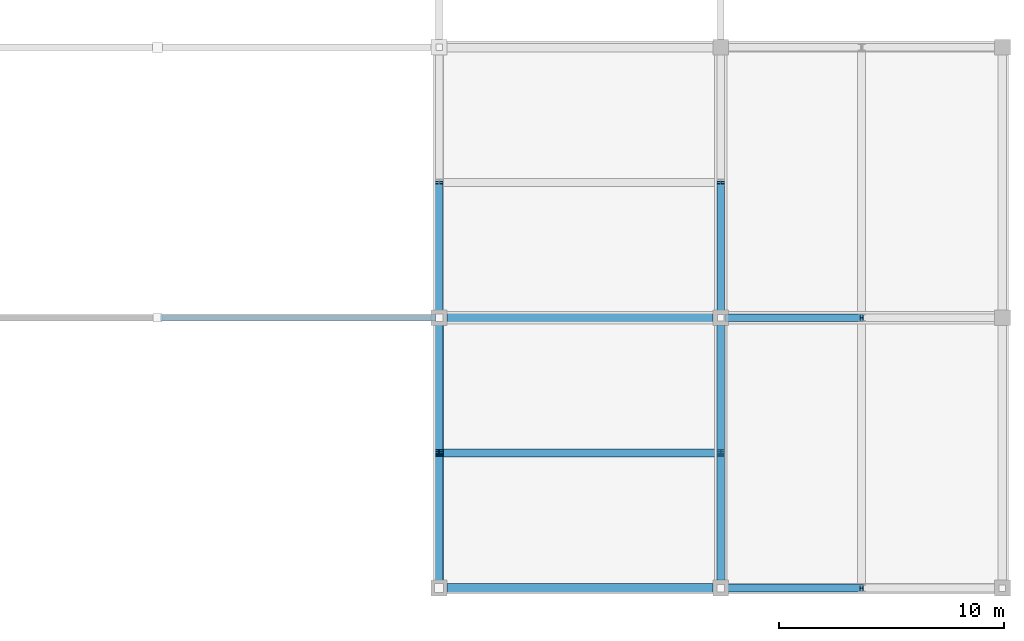
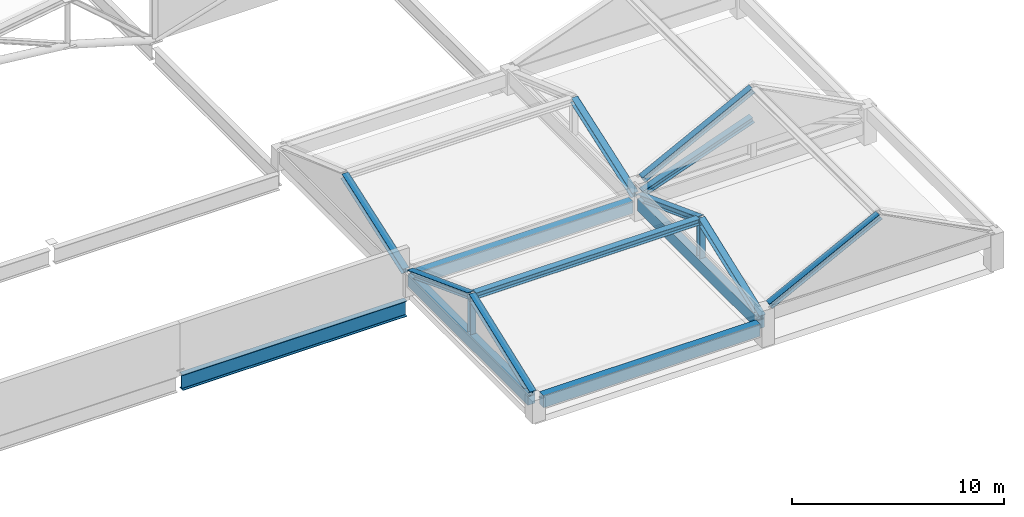
# One storey, part 55 of 117: 12 members, 5 beams.
"""IFC4 building model written with IfcOpenShell, lengths in metres."""

import ifcopenshell
import ifcopenshell.guid

model = None  # the IFC model being written
_history = None  # IfcOwnerHistory: only IFC2X3 demands one
_inside = {}  # id of a spatial element -> (the spatial element, [elements in it])
_under = {}  # id of a project, library or spatial element -> (it, [spatial elements below it])
_declared = {}  # id of a project -> (the project, [libraries it declares])
_typed = {}  # id of a type object -> (the type object, [elements of that type])
_made_of = {}  # id of a material, layer set ... -> (it, [elements and type objects made of it])


def new_model(schema):
    """Start an empty IFC model of exactly this schema.

    Asked for "IFC4X3", IfcOpenShell would pick the latest addendum, in which some entities
    have other attributes; the version numbers below select the first issue.
    IFC2X3 requires an IfcOwnerHistory on every rooted entity: one is made here for all.
    """
    global model, _history
    if schema == "IFC4X3":
        model = ifcopenshell.file(schema_version=(4, 3, 0, 0))
    else:
        model = ifcopenshell.file(schema=schema)
    _inside.clear()
    _under.clear()
    _declared.clear()
    _typed.clear()
    _made_of.clear()
    _history = None
    if model.schema == "IFC2X3":
        org = make("IfcOrganization", Name="unknown")
        user = make(
            "IfcPersonAndOrganization",
            ThePerson=make("IfcPerson", FamilyName="unknown"),
            TheOrganization=org,
        )
        app = make(
            "IfcApplication",
            ApplicationDeveloper=org,
            Version="unknown",
            ApplicationFullName="unknown",
            ApplicationIdentifier="unknown",
        )
        _history = make(
            "IfcOwnerHistory",
            OwningUser=user,
            OwningApplication=app,
            ChangeAction="ADDED",
            CreationDate=0,
        )
    return model


def make(cls, **values):
    """One entity of the class cls with the attributes given. An attribute that is None is left unset."""
    return model.create_entity(
        cls, **{name: value for name, value in values.items() if value is not None}
    )


def rooted(cls, **values):
    """An entity with a GlobalId (a new one), such as an element, a storey or a relation."""
    return make(cls, GlobalId=ifcopenshell.guid.new(), OwnerHistory=_history, **values)


def si_unit(unit_type, name, prefix=None):
    """IfcSIUnit, for example si_unit("LENGTHUNIT", "METRE", prefix="MILLI")."""
    return make("IfcSIUnit", UnitType=unit_type, Prefix=prefix, Name=name)


def assignment(units):
    """IfcUnitAssignment: the units of a project."""
    return None if units is None else make("IfcUnitAssignment", Units=units)


def point(xyz):
    """IfcCartesianPoint."""
    return None if xyz is None else make("IfcCartesianPoint", Coordinates=xyz)


def direction(xyz):
    """IfcDirection."""
    return None if xyz is None else make("IfcDirection", DirectionRatios=xyz)


def frame(location, z_axis=None, x_axis=None):
    """IfcAxis2Placement3D, a coordinate frame: its origin and axes. An axis left out is left unset."""
    return make(
        "IfcAxis2Placement3D",
        Location=point(location),
        Axis=direction(z_axis),
        RefDirection=direction(x_axis),
    )


def frame_2d(location, x_axis=None):
    """IfcAxis2Placement2D, a coordinate frame in the plane: its origin and x axis."""
    return make(
        "IfcAxis2Placement2D", Location=point(location), RefDirection=direction(x_axis)
    )


def origin():
    """The frame at (0, 0, 0) with its axes left unset."""
    return frame((0.0, 0.0, 0.0))


def origin_2d():
    """The frame at (0, 0) in the plane with its x axis left unset."""
    return frame_2d((0.0, 0.0))


def place(relative_to, where):
    """IfcLocalPlacement: puts the frame where relative to a parent placement (None: the world)."""
    return make(
        "IfcLocalPlacement", PlacementRelTo=relative_to, RelativePlacement=where
    )


def context(
    kind, dimensions, precision=None, world=None, true_north=None, identifier=None
):
    """IfcGeometricRepresentationContext, for example the 3D "Model" context."""
    return make(
        "IfcGeometricRepresentationContext",
        ContextIdentifier=identifier,
        ContextType=kind,
        CoordinateSpaceDimension=dimensions,
        Precision=precision,
        WorldCoordinateSystem=world,
        TrueNorth=true_north,
    )


def subcontext(parent, identifier, kind, view, scale=None):
    """IfcGeometricRepresentationSubContext, for example "Body" below "Model"."""
    return make(
        "IfcGeometricRepresentationSubContext",
        ContextIdentifier=identifier,
        ContextType=kind,
        ParentContext=parent,
        TargetScale=scale,
        TargetView=view,
    )


def project(units=None, contexts=None):
    """IfcProject with its units and contexts."""
    return rooted(
        "IfcProject",
        Name="project",
        RepresentationContexts=contexts,
        UnitsInContext=assignment(units),
    )


def spatial(cls, under=None, at=None, **own):
    """A site, building, storey or space (cls), placed at a placement, below another one or the project."""
    s = rooted(cls, ObjectPlacement=at, **own)
    if under is not None:
        _under.setdefault(under.id(), (under, []))[1].append(s)
    return s


def profile(cls, at=None, kind="AREA", **sizes):
    """A parametric profile (cls). Its sizes go by their IFC names, for example OverallWidth=200.0."""
    return make(cls, ProfileType=kind, Position=at, **sizes)


def rectangle(**sizes):
    """IfcRectangleProfileDef."""
    return profile("IfcRectangleProfileDef", **sizes)


def i_section(**sizes):
    """IfcIShapeProfileDef."""
    return profile("IfcIShapeProfileDef", **sizes)


def extrude(swept, where, along, depth):
    """IfcExtrudedAreaSolid: the profile swept, set in the frame where, extruded along a direction by depth."""
    return make(
        "IfcExtrudedAreaSolid",
        SweptArea=swept,
        Position=where,
        ExtrudedDirection=direction(along),
        Depth=depth,
    )


def shape(context_of_items, identifier, shape_type, items):
    """IfcShapeRepresentation: the items that make up one representation, for example the "Body"."""
    return make(
        "IfcShapeRepresentation",
        ContextOfItems=context_of_items,
        RepresentationIdentifier=identifier,
        RepresentationType=shape_type,
        Items=items,
    )


def material(Name=None, Category=None):
    """IfcMaterial."""
    return make("IfcMaterial", Name=Name, Category=Category)


def material_profile(
    of_material, cross_section, Name=None, Category=None, Priority=None
):
    """IfcMaterialProfile: a cross section and its material."""
    return make(
        "IfcMaterialProfile",
        Name=Name,
        Material=of_material,
        Profile=cross_section,
        Priority=Priority,
        Category=Category,
    )


def profile_set(profiles, Name=None, composite=None):
    """IfcMaterialProfileSet."""
    return make(
        "IfcMaterialProfileSet",
        Name=Name,
        MaterialProfiles=profiles,
        CompositeProfile=composite,
    )


def made_of(thing, what):
    """Note that an element or type object is made of a material, layer set ...; save() writes the relation."""
    if what is not None:
        _made_of.setdefault(what.id(), (what, []))[1].append(thing)
    return thing


def type_object(cls, material=None, **own):
    """A type object (cls), such as IfcWallType, which elements share."""
    return made_of(rooted(cls, **own), material)


def element(
    cls,
    number,
    at=None,
    inside=None,
    cuts=None,
    type_object=None,
    material=None,
    context=None,
    identifier="Body",
    shape_type=None,
    held_by="IfcProductDefinitionShape",
    body=None,
    shapes=None,
    **own,
):
    """One element of the class cls, such as IfcWall. Its Tag is "e" and its number.

    at: its placement. inside: the storey or other place that contains it. cuts: it is an
    opening in that element (IfcRelVoidsElement). A single representation is given by context,
    identifier, shape_type and body (its items); several are given by shapes. held_by: the class
    of the entity that holds the representations. save() writes the other relations.
    """
    e = rooted(cls, Tag="e%d" % number, ObjectPlacement=at, **own)
    if body is not None:
        shapes = [shape(context, identifier, shape_type, body)]
    if shapes is not None:
        e.Representation = make(held_by, Representations=shapes)
    if inside is not None:
        _inside.setdefault(inside.id(), (inside, []))[1].append(e)
    if cuts is not None:
        rooted(
            "IfcRelVoidsElement", RelatingBuildingElement=cuts, RelatedOpeningElement=e
        )
    if type_object is not None:
        _typed.setdefault(type_object.id(), (type_object, []))[1].append(e)
    return made_of(e, material)


def aggregate(whole, parts):
    """IfcRelAggregates: a whole, such as a stair, and the parts it consists of."""
    return rooted("IfcRelAggregates", RelatingObject=whole, RelatedObjects=parts)


def save(model, path):
    """Write the relations noted so far, then the file.

    IfcRelAggregates (storeys below a building ...), IfcRelContainedInSpatialStructure (elements
    in a storey), IfcRelDefinesByType, IfcRelAssociatesMaterial and IfcRelDeclares: one each for
    every whole, place, type object, material and project.
    """
    for whole, parts in _under.values():
        aggregate(whole, parts)
    for where, things in _inside.values():
        rooted(
            "IfcRelContainedInSpatialStructure",
            RelatedElements=things,
            RelatingStructure=where,
        )
    for kind, things in _typed.values():
        rooted("IfcRelDefinesByType", RelatedObjects=things, RelatingType=kind)
    for what, things in _made_of.values():
        rooted("IfcRelAssociatesMaterial", RelatedObjects=things, RelatingMaterial=what)
    for by, libraries in _declared.values():
        rooted("IfcRelDeclares", RelatingContext=by, RelatedDefinitions=libraries)
    model.write(path)


model = new_model("IFC4")

# Units and contexts
model_context = context("Model", 3, precision=1e-05, world=origin(), true_north=direction((0.0, 1.0)))
body_context = subcontext(model_context, "Body", "Model", "MODEL_VIEW")
ifc_project = project(units=[si_unit("LENGTHUNIT", "METRE"), si_unit("AREAUNIT", "SQUARE_METRE"), si_unit("VOLUMEUNIT", "CUBIC_METRE"), si_unit("PLANEANGLEUNIT", "RADIAN"), si_unit("MASSUNIT", "GRAM", prefix="KILO")], contexts=[model_context])

# Site, building, storey
site_placement = place(None, origin())
site = spatial("IfcSite", under=ifc_project, at=site_placement, CompositionType="ELEMENT")
building_placement = place(site_placement, origin())
building = spatial("IfcBuilding", under=site, at=building_placement, Name="Kazenohara Klinker Stadium", CompositionType="ELEMENT")
storey_placement = place(building_placement, frame((0.0, 0.0, 31.199951171875)))
storey = spatial("IfcBuildingStorey", under=building, at=storey_placement, Name="RF", CompositionType="ELEMENT", Elevation=31.199951171875)

# Beams
ifc_material_1 = material(Name="Concrete C40/50", Category="concrete")
ifc_material_profile_1 = material_profile(ifc_material_1, rectangle(XDim=0.39990234375, YDim=0.699951171875, at=origin_2d()), Name="RC-BM-400x700")
ifc_profile_set_1 = profile_set([ifc_material_profile_1], Name="Concrete C40/50")
beam_type_1 = type_object("IfcBeamType", Name="BM-RC04", PredefinedType="BEAM", material=ifc_profile_set_1)
beam_1_placement = place(storey_placement, frame((187.5, 12.35009765625, 0.949951171875), z_axis=(0.0, 1.0, 0.0), x_axis=(-1.0, 0.0, 0.0)))
element("IfcBeam", 1, at=beam_1_placement, inside=storey, type_object=beam_type_1, Name="Turret crown eave girder BG04 RF Y15-1", PredefinedType="BEAM", context=body_context, shape_type="SweptSolid", body=[
    extrude(rectangle(XDim=0.39990234375, YDim=0.699951171875, at=origin_2d()), origin(), (0.0, 0.0, 1.0), 11.2998046875),
])
for number, where, z_axis, x_axis, name in (
    (2, (175.35009765625, 12.0, 0.949951171875), (1.0, 0.0, 0.0), (0.0, 1.0, 0.0), "Turret crown eave girder BG04 RF X14-1"),
    (3, (175.35009765625, 24.0, 0.75), (1.0, 0.0, 0.0), (0.0, 1.0, 0.0), "Turret crown eave girder BG04 RF X14-2"),
):
    element("IfcBeam", number, at=place(storey_placement, frame(where, z_axis=z_axis, x_axis=x_axis)), inside=storey, type_object=beam_type_1, Name=name, PredefinedType="BEAM", context=body_context, shape_type="SweptSolid", body=[
        extrude(rectangle(XDim=0.39990234375, YDim=0.699951171875, at=origin_2d()), origin(), (0.0, 0.0, 1.0), 11.7998046875),
    ])
beam_2_placement = place(storey_placement, frame((175.0, 12.35009765625, 0.949951171875), z_axis=(0.0, 1.0, 0.0), x_axis=(-1.0, 0.0, 0.0)))
element("IfcBeam", 4, at=beam_2_placement, inside=storey, type_object=beam_type_1, Name="Turret crown eave girder BG04 RF Y14-1", PredefinedType="BEAM", context=body_context, shape_type="SweptSolid", body=[
    extrude(rectangle(XDim=0.39990234375, YDim=0.699951171875, at=origin_2d()), origin(), (0.0, 0.0, 1.0), 11.2998046875),
])

# Members
ifc_material_2 = material(Name="Steel S355", Category="steel")
ifc_material_profile_2 = material_profile(ifc_material_2, i_section(OverallWidth=0.35009765625, OverallDepth=0.35009765625, WebThickness=0.011962890625, FlangeThickness=0.01904296875, FilletRadius=0.012939453125, at=origin_2d()), Name="H-350x350x12x19")
ifc_profile_set_2 = profile_set([ifc_material_profile_2], Name="Steel S355")
member_type_1 = type_object("IfcMemberType", Name="MEM-CHD02", PredefinedType="CHORD", material=ifc_profile_set_2)
for number, where, z_axis, x_axis, name in (
    (5, (187.75, 12.0, 2.080078125), (0.890230058261, 0.0, 0.455511189072), (0.0, 1.0, 0.0), "Crown gable rafter GT4-SE S West"),
    (6, (187.75, 24.0, 2.080078125), (0.890230058261, 0.0, 0.455511189072), (0.0, 1.0, 0.0), "Crown gable rafter GT4-SE N West"),
):
    element("IfcMember", number, at=place(storey_placement, frame(where, z_axis=z_axis, x_axis=x_axis)), inside=storey, type_object=member_type_1, Name=name, PredefinedType="CHORD", context=body_context, shape_type="SweptSolid", body=[
        extrude(i_section(OverallWidth=0.35009765625, OverallDepth=0.35009765625, WebThickness=0.011962890625, FlangeThickness=0.01904296875, FilletRadius=0.012939453125, at=origin_2d()), origin(), (0.0, 0.0, 1.0), 6.73974609375),
    ])
for number, where, z_axis, x_axis, name in (
    (7, (175.0, 12.25, 1.280029296875), (0.0, 0.935595776827, 0.35307299866), (-1.0, 0.0, 0.0), "Crown gable rafter GT4-SW W South"),
    (8, (175.0, 23.75, 1.280029296875), (0.0, -0.935595776827, 0.35307299866), (1.0, 0.0, 0.0), "Crown gable rafter GT4-SW W North"),
    (9, (187.5, 12.25, 1.280029296875), (0.0, 0.935595776827, 0.35307299866), (-1.0, 0.0, 0.0), "Crown gable rafter GT4-SW E South"),
    (10, (187.5, 23.75, 1.280029296875), (0.0, -0.935595776827, 0.35307299866), (1.0, 0.0, 0.0), "Crown gable rafter GT4-SW E North"),
):
    element("IfcMember", number, at=place(storey_placement, frame(where, z_axis=z_axis, x_axis=x_axis)), inside=storey, type_object=member_type_1, Name=name, PredefinedType="CHORD", context=body_context, shape_type="SweptSolid", body=[
        extrude(i_section(OverallWidth=0.35009765625, OverallDepth=0.35009765625, WebThickness=0.011962890625, FlangeThickness=0.01904296875, FilletRadius=0.012939453125, at=origin_2d()), origin(), (0.0, 0.0, 1.0), 6.145751953125),
    ])
member_1_placement = place(storey_placement, frame((175.14990234375, 18.0, 3.449951171875), z_axis=(1.0, 0.0, 0.0), x_axis=(0.0, 1.0, 0.0)))
element("IfcMember", 11, at=member_1_placement, inside=storey, type_object=member_type_1, Name="Crown ridge beam GT4-SW", PredefinedType="CHORD", context=body_context, shape_type="SweptSolid", body=[
    extrude(i_section(OverallWidth=0.35009765625, OverallDepth=0.35009765625, WebThickness=0.011962890625, FlangeThickness=0.01904296875, FilletRadius=0.012939453125, at=origin_2d()), origin(), (0.0, 0.0, 1.0), 12.2001953125),
])
member_2_placement = place(storey_placement, frame((187.75, 24.0, 1.280029296875), z_axis=(0.940390807712, 0.0, 0.340095764117), x_axis=(0.0, 1.0, 0.0)))
element("IfcMember", 12, at=member_2_placement, inside=storey, type_object=member_type_1, Name="Crown gable rafter GT4-NE S West", PredefinedType="CHORD", context=body_context, shape_type="SweptSolid", body=[
    extrude(i_section(OverallWidth=0.35009765625, OverallDepth=0.35009765625, WebThickness=0.011962890625, FlangeThickness=0.01904296875, FilletRadius=0.012939453125, at=origin_2d()), origin(), (0.0, 0.0, 1.0), 6.38037109375),
])
for number, where, z_axis, x_axis, name in (
    (13, (175.0, 24.25, 1.080078125), (0.0, 0.943473005792, 0.331449373723), (-1.0, 0.0, 0.0), "Crown gable rafter GT4-NW W South"),
    (14, (187.5, 24.25, 1.080078125), (0.0, 0.943473005792, 0.331449373723), (-1.0, 0.0, 0.0), "Crown gable rafter GT4-NW E South"),
):
    element("IfcMember", number, at=place(storey_placement, frame(where, z_axis=z_axis, x_axis=x_axis)), inside=storey, type_object=member_type_1, Name=name, PredefinedType="CHORD", context=body_context, shape_type="SweptSolid", body=[
        extrude(i_section(OverallWidth=0.35009765625, OverallDepth=0.35009765625, WebThickness=0.011962890625, FlangeThickness=0.01904296875, FilletRadius=0.012939453125, at=origin_2d()), origin(), (0.0, 0.0, 1.0), 6.094482421875),
    ])
ifc_material_profile_3 = material_profile(ifc_material_2, i_section(OverallWidth=0.300048828125, OverallDepth=0.300048828125, WebThickness=0.010009765625, FlangeThickness=0.014892578125, FilletRadius=0.012939453125, at=origin_2d()), Name="H-300x300x10x15")
ifc_profile_set_3 = profile_set([ifc_material_profile_3], Name="Steel S355")
member_type_2 = type_object("IfcMemberType", Name="MEM-STR01", PredefinedType="STRUT", material=ifc_profile_set_3)
for number, where, z_axis, x_axis, name in (
    (15, (175.0, 18.0, 1.280029296875), (0.0, 0.0, 1.0), (1.0, 0.0, 0.0), "Crown gable king-post GT4-SW W"),
    (16, (187.5, 18.0, 1.280029296875), (0.0, 0.0, 1.0), (1.0, 0.0, 0.0), "Crown gable king-post GT4-SW E"),
):
    element("IfcMember", number, at=place(storey_placement, frame(where, z_axis=z_axis, x_axis=x_axis)), inside=storey, type_object=member_type_2, Name=name, PredefinedType="STRUT", context=body_context, shape_type="SweptSolid", body=[
        extrude(i_section(OverallWidth=0.300048828125, OverallDepth=0.300048828125, WebThickness=0.010009765625, FlangeThickness=0.014892578125, FilletRadius=0.012939453125, at=origin_2d()), origin(), (0.0, 0.0, 1.0), 2.169921875),
    ])

# Beam
ifc_material_profile_4 = material_profile(ifc_material_2, i_section(OverallWidth=0.300048828125, OverallDepth=0.89990234375, WebThickness=0.01611328125, FlangeThickness=0.028076171875, FilletRadius=0.02197265625, at=origin_2d()), Name="H-900x300x16x28")
ifc_profile_set_4 = profile_set([ifc_material_profile_4], Name="Steel S355")
beam_type_2 = type_object("IfcBeamType", Name="RING-RB01", PredefinedType="USERDEFINED", material=ifc_profile_set_4)
beam_3_placement = place(storey_placement, frame((162.639892578125, 24.0, -0.820068359375), z_axis=(1.0, 0.0, 0.0), x_axis=(0.0, 1.0, 0.0)))
element("IfcBeam", 17, at=beam_3_placement, inside=storey, type_object=beam_type_2, Name="Roof ring beam RB01 S-OUT 14-15", ObjectType="RING BEAM", PredefinedType="USERDEFINED", context=body_context, shape_type="SweptSolid", body=[
    extrude(i_section(OverallWidth=0.300048828125, OverallDepth=0.89990234375, WebThickness=0.01611328125, FlangeThickness=0.028076171875, FilletRadius=0.02197265625, at=origin_2d()), origin(), (0.0, 0.0, 1.0), 12.22021484375),
])

save(model, "model.ifc")
